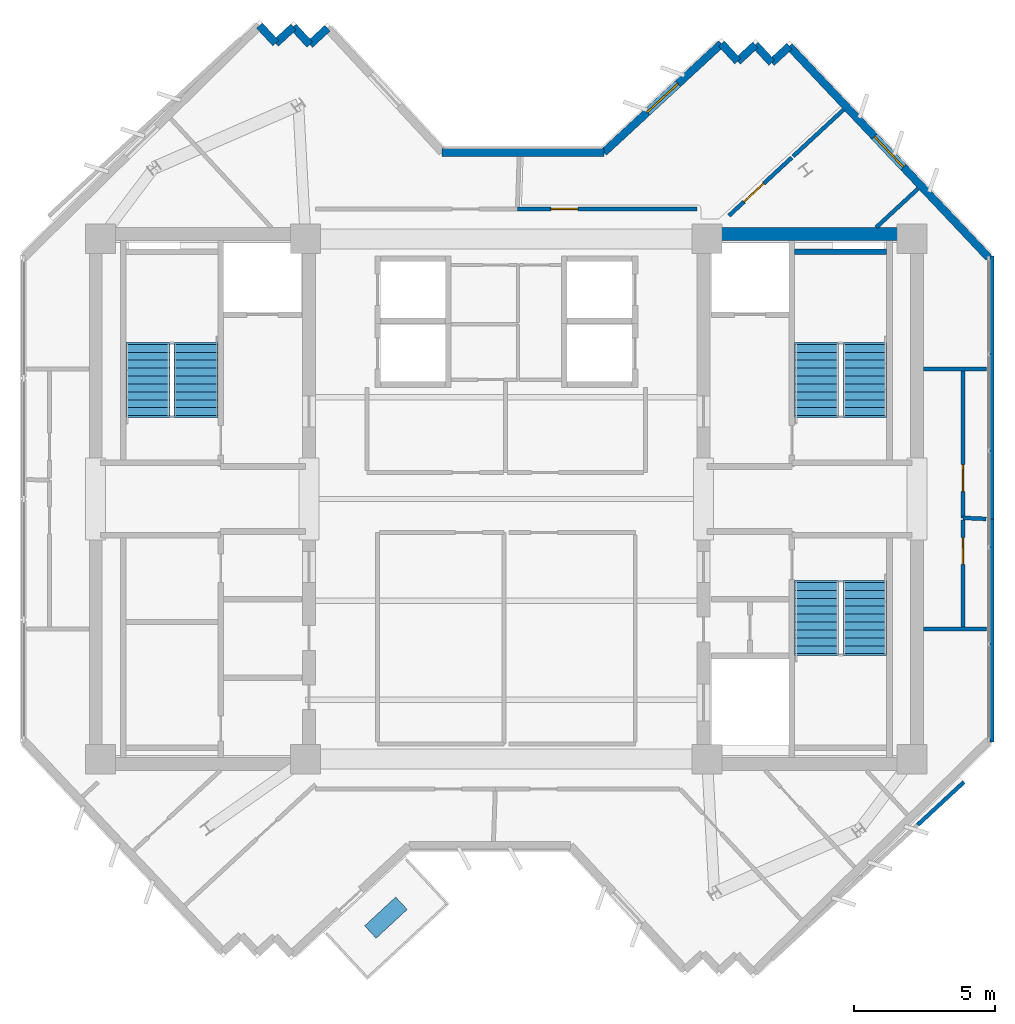
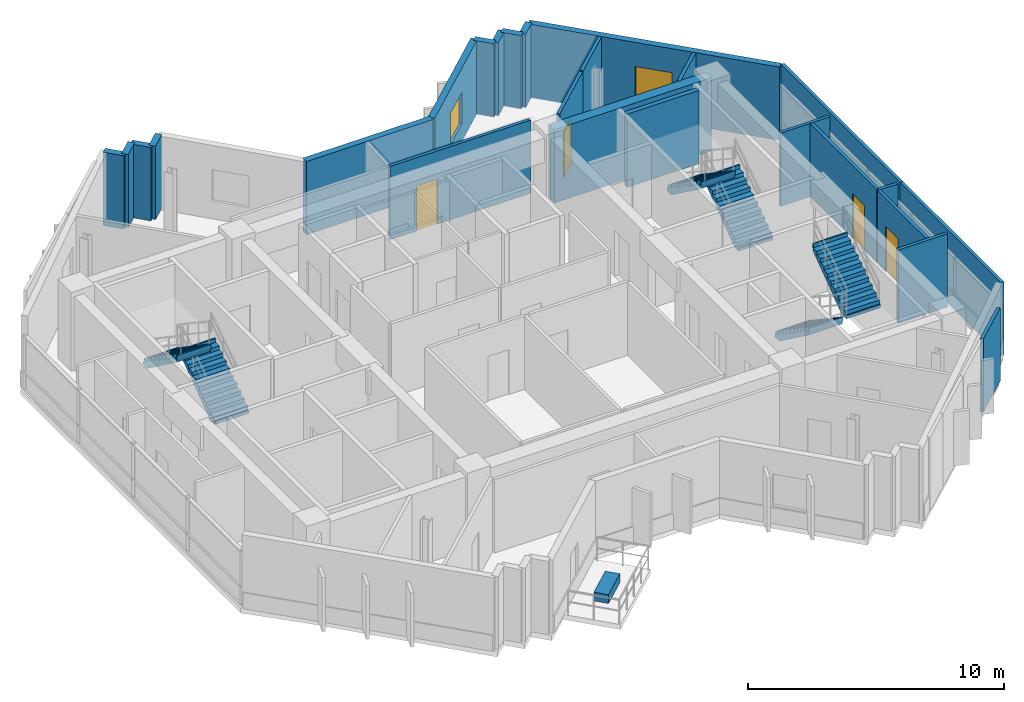
# One storey, part 7 of 9: 25 walls, 6 stair flights, 4 doors, 2 windows, 1 discrete accessory, 6 openings, 3 elements without a shape of their own.
"""IFC4 building model written with IfcOpenShell, lengths in metres."""

from ifc_helpers import new_model, si_unit, direction, frame, frame_2d, origin, origin_2d, place, context, subcontext, project, spatial, polyline, rectangle, outline, extrude, source, transform, mapped, material, layer, layer_set, type_object, element, fill, aggregate, save


model = new_model("IFC4")

# Units and contexts
model_context = context("Model", 3, precision=1e-05, world=origin(), true_north=direction((0.0, 1.0)))
body_context = subcontext(model_context, "Body", "Model", "MODEL_VIEW")
ifc_project = project(units=[si_unit("LENGTHUNIT", "METRE"), si_unit("AREAUNIT", "SQUARE_METRE"), si_unit("VOLUMEUNIT", "CUBIC_METRE"), si_unit("PLANEANGLEUNIT", "RADIAN"), si_unit("MASSUNIT", "GRAM", prefix="KILO")], contexts=[model_context])

# Site, building, storey
site_placement = place(None, origin())
site = spatial("IfcSite", under=ifc_project, at=site_placement, CompositionType="ELEMENT")
building_placement = place(site_placement, origin())
building = spatial("IfcBuilding", under=site, at=building_placement, Name="Zahravan Cultural Tower", CompositionType="ELEMENT")
storey_placement = place(building_placement, frame((0.0, 0.0, 299.10009765625)))
storey = spatial("IfcBuildingStorey", under=building, at=storey_placement, Name="L72", CompositionType="ELEMENT", Elevation=299.10009765625)

# Wall, opening, window
ifc_material_1 = material(Name="Precast concrete C40/50", Category="concrete")
ifc_layer_1 = layer(ifc_material_1, 0.280029296875)
ifc_layer_set_1 = layer_set([ifc_layer_1], Name="Precast concrete C40/50")
wall_type_1 = type_object("IfcWallType", Name="EW-TC-280", PredefinedType="SOLIDWALL", material=ifc_layer_set_1)
wall_1_placement = place(storey_placement, frame((39.44677734375, 39.260009765625, 0.0), z_axis=(0.0, 0.0, 1.0), x_axis=(0.734109106874, 0.679031530346, 0.0)))
wall_1 = element("IfcWall", 1, at=wall_1_placement, inside=storey, type_object=wall_type_1, Name="L72 Exterior Masonry Frame Wall 01", PredefinedType="SOLIDWALL", context=body_context, shape_type="SweptSolid", body=[
    extrude(rectangle(XDim=5.6650390625, YDim=0.280029296875, at=frame_2d((2.83251953125, 0.0))), origin(), (0.0, 0.0, 1.0), 3.5),
])
opening_1_placement = place(wall_1_placement, frame((2.08203125, 0.0, 0.85009765625)))
opening_1 = element("IfcOpeningElement", 2, at=opening_1_placement, cuts=wall_1, Name="Opening WN-03", PredefinedType="OPENING", context=body_context, shape_type="SweptSolid", body=[
    extrude(rectangle(XDim=1.5, YDim=1.5, at=frame_2d((0.75, 0.75))), frame((0.0, 0.14990234375, 0.0), z_axis=(0.0, -1.0, 0.0), x_axis=(1.0, 0.0, 0.0)), (0.0, 0.0, 1.0), 0.300048828125),
])
ifc_material_2 = material(Name="Low-E solar-control double glazing", Category="glass")
window_type = type_object("IfcWindowType", Name="WN-REC-1500X1500", PartitioningType="SINGLE_PANEL", PredefinedType="WINDOW", material=ifc_material_2)
shared_shape_1 = source(origin(), body_context, "Body", "SweptSolid", [
    extrude(rectangle(XDim=1.5, YDim=1.5, at=frame_2d((0.75, 0.75))), frame((0.0, 0.030029296875, 0.0), z_axis=(0.0, -1.0, 0.0), x_axis=(1.0, 0.0, 0.0)), (0.0, 0.0, 1.0), 0.06005859375),
])
window_1_placement = place(opening_1_placement, origin())
window_1 = element("IfcWindow", 3, at=window_1_placement, inside=storey, type_object=window_type, Name="L72 Recessed Solar Window 01", OverallHeight=1.5, OverallWidth=1.5, PartitioningType="SINGLE_PANEL", PredefinedType="WINDOW", context=body_context, shape_type="MappedRepresentation", body=[
    mapped(shared_shape_1, transform((0.0, 0.0, 0.0), x_axis=(1.0, 0.0, 0.0), y_axis=(0.0, 1.0, 0.0), z_axis=(0.0, 0.0, 1.0), scale=1.0)),
])
fill(opening_1, window_1)

wall_2_placement = place(storey_placement, frame((46.0078125, 43.012939453125, 0.0), z_axis=(0.0, 0.0, 1.0), x_axis=(0.68643580465, -0.727190405667, 0.0)))
wall_2 = element("IfcWall", 4, at=wall_2_placement, inside=storey, type_object=wall_type_1, Name="L72 Exterior Masonry Frame Wall 06", PredefinedType="SOLIDWALL", context=body_context, shape_type="SweptSolid", body=[
    extrude(rectangle(XDim=10.273681640625, YDim=0.280029296875, at=frame_2d((5.13671875, 0.0))), origin(), (0.0, 0.0, 1.0), 3.5),
])
opening_2_placement = place(wall_2_placement, frame((4.386962890625, 0.0, 0.85009765625)))
opening_2 = element("IfcOpeningElement", 5, at=opening_2_placement, cuts=wall_2, Name="Opening WN-03", PredefinedType="OPENING", context=body_context, shape_type="SweptSolid", body=[
    extrude(rectangle(XDim=1.5, YDim=1.5, at=frame_2d((0.75, 0.75))), frame((0.0, 0.14990234375, 0.0), z_axis=(0.0, -1.0, 0.0), x_axis=(1.0, 0.0, 0.0)), (0.0, 0.0, 1.0), 0.300048828125),
])
window_2_placement = place(opening_2_placement, origin())
window_2 = element("IfcWindow", 6, at=window_2_placement, inside=storey, type_object=window_type, Name="L72 Recessed Solar Window 02", OverallHeight=1.5, OverallWidth=1.5, PartitioningType="SINGLE_PANEL", PredefinedType="WINDOW", context=body_context, shape_type="MappedRepresentation", body=[
    mapped(shared_shape_1, transform((0.0, 0.0, 0.0), x_axis=(1.0, 0.0, 0.0), y_axis=(0.0, 1.0, 0.0), z_axis=(0.0, 0.0, 1.0), scale=1.0)),
])
fill(opening_2, window_2)

# Wall, opening, door
ifc_material_3 = material(Name="Gypsum plasterboard partition")
ifc_layer_2 = layer(ifc_material_3, 0.139892578125)
ifc_layer_set_2 = layer_set([ifc_layer_2], Name="Gypsum plasterboard partition")
wall_type_2 = type_object("IfcWallType", Name="W-PART-140", PredefinedType="PARTITIONING", material=ifc_layer_set_2)
wall_3_placement = place(storey_placement, frame((43.873046875, 37.02001953125, 0.0), z_axis=(0.0, 0.0, 1.0), x_axis=(0.734120521476, 0.679019189676, 0.0)))
wall_3 = element("IfcWall", 7, at=wall_3_placement, inside=storey, type_object=wall_type_2, Name="L72 Interior Wall 063", PredefinedType="PARTITIONING", context=body_context, shape_type="SweptSolid", body=[
    extrude(rectangle(XDim=3.030517578125, YDim=0.139892578125, at=frame_2d((1.51513671875, 0.0))), origin(), (0.0, 0.0, 1.0), 3.5),
])
opening_3_placement = place(wall_3_placement, frame((0.728271484375, 0.0, 0.0)))
opening_3 = element("IfcOpeningElement", 8, at=opening_3_placement, cuts=wall_3, Name="Opening D-L72-29", PredefinedType="OPENING", context=body_context, shape_type="SweptSolid", body=[
    extrude(rectangle(XDim=0.949951171875, YDim=2.14990234375, at=frame_2d((0.47509765625, 1.074951171875))), frame((0.0, 0.079833984375, 0.0), z_axis=(0.0, -1.0, 0.0), x_axis=(1.0, 0.0, 0.0)), (0.0, 0.0, 1.0), 0.159912109375),
])
ifc_material_4 = material(Name="Anodised bronze-aluminium mullion", Category="aluminium")
door_type = type_object("IfcDoorType", Name="DR-ROOM-950", OperationType="NOTDEFINED", PredefinedType="DOOR", material=ifc_material_4)
shared_shape_2 = source(origin(), body_context, "Body", "SweptSolid", [
    extrude(rectangle(XDim=0.949951171875, YDim=2.14990234375, at=frame_2d((0.47509765625, 1.074951171875))), frame((0.0, 0.02490234375, 0.0), z_axis=(0.0, -1.0, 0.0), x_axis=(1.0, 0.0, 0.0)), (0.0, 0.0, 1.0), 0.050048828125),
])
door_1_placement = place(opening_3_placement, origin())
door_1 = element("IfcDoor", 9, at=door_1_placement, inside=storey, type_object=door_type, Name="L72 Door D-L72-29", OperationType="SINGLE_SWING_RIGHT", OverallHeight=2.14990234375, OverallWidth=0.949951171875, PredefinedType="DOOR", context=body_context, shape_type="MappedRepresentation", body=[
    mapped(shared_shape_2, transform((0.0, 0.0, 0.0), x_axis=(1.0, 0.0, 0.0), y_axis=(0.0, 1.0, 0.0), z_axis=(0.0, 0.0, 1.0), scale=1.0)),
])
fill(opening_3, door_1)

wall_4_placement = place(storey_placement, frame((52.14990234375, 26.33251953125, 0.0), z_axis=(0.0, 0.0, 1.0), x_axis=(-0.000188111359, 0.999999982307, 0.0)))
wall_4 = element("IfcWall", 10, at=wall_4_placement, inside=storey, type_object=wall_type_2, Name="L72 Interior Wall 072", PredefinedType="PARTITIONING", context=body_context, shape_type="SweptSolid", body=[
    extrude(rectangle(XDim=5.19140625, YDim=0.139892578125, at=frame_2d((2.595703125, 0.0))), origin(), (0.0, 0.0, 1.0), 3.5),
])
opening_4_placement = place(wall_4_placement, frame((0.93310546875, 0.0, 0.0)))
opening_4 = element("IfcOpeningElement", 11, at=opening_4_placement, cuts=wall_4, Name="Opening D-L72-20", PredefinedType="OPENING", context=body_context, shape_type="SweptSolid", body=[
    extrude(rectangle(XDim=0.949951171875, YDim=2.14990234375, at=frame_2d((0.47509765625, 1.074951171875))), frame((0.0, 0.079833984375, 0.0), z_axis=(0.0, -1.0, 0.0), x_axis=(1.0, 0.0, 0.0)), (0.0, 0.0, 1.0), 0.159912109375),
])
door_2_placement = place(opening_4_placement, origin())
door_2 = element("IfcDoor", 12, at=door_2_placement, inside=storey, type_object=door_type, Name="L72 Door D-L72-20", OperationType="SINGLE_SWING_LEFT", OverallHeight=2.14990234375, OverallWidth=0.949951171875, PredefinedType="DOOR", context=body_context, shape_type="MappedRepresentation", body=[
    mapped(shared_shape_2, transform((0.0, 0.0, 0.0), x_axis=(1.0, 0.0, 0.0), y_axis=(0.0, 1.0, 0.0), z_axis=(0.0, 0.0, 1.0), scale=1.0)),
])
fill(opening_4, door_2)

wall_5_placement = place(storey_placement, frame((52.148681640625, 22.477294921875, 0.0), z_axis=(0.0, 0.0, 1.0), x_axis=(0.000322913959, 0.999999947863, 0.0)))
wall_5 = element("IfcWall", 13, at=wall_5_placement, inside=storey, type_object=wall_type_2, Name="L72 Interior Wall 074", PredefinedType="PARTITIONING", context=body_context, shape_type="SweptSolid", body=[
    extrude(rectangle(XDim=3.7802734375, YDim=0.139892578125, at=frame_2d((1.89013671875, 0.0))), origin(), (0.0, 0.0, 1.0), 3.5),
])
opening_5_placement = place(wall_5_placement, frame((2.20751953125, 0.0, 0.0)))
opening_5 = element("IfcOpeningElement", 14, at=opening_5_placement, cuts=wall_5, Name="Opening D-L72-27", PredefinedType="OPENING", context=body_context, shape_type="SweptSolid", body=[
    extrude(rectangle(XDim=0.949951171875, YDim=2.14990234375, at=frame_2d((0.47509765625, 1.074951171875))), frame((0.0, 0.079833984375, 0.0), z_axis=(0.0, -1.0, 0.0), x_axis=(1.0, 0.0, 0.0)), (0.0, 0.0, 1.0), 0.159912109375),
])
door_3_placement = place(opening_5_placement, origin())
door_3 = element("IfcDoor", 15, at=door_3_placement, inside=storey, type_object=door_type, Name="L72 Door D-L72-27", OperationType="SINGLE_SWING_RIGHT", OverallHeight=2.14990234375, OverallWidth=0.949951171875, PredefinedType="DOOR", context=body_context, shape_type="MappedRepresentation", body=[
    mapped(shared_shape_2, transform((0.0, 0.0, 0.0), x_axis=(1.0, 0.0, 0.0), y_axis=(0.0, 1.0, 0.0), z_axis=(0.0, 0.0, 1.0), scale=1.0)),
])
fill(opening_5, door_3)

wall_6_placement = place(storey_placement, frame((42.742431640625, 37.259765625, 0.0), z_axis=(0.0, 0.0, 1.0), x_axis=(-0.999999999261, 3.8433452e-05, 0.0)))
wall_6 = element("IfcWall", 16, at=wall_6_placement, inside=storey, type_object=wall_type_2, Name="L72 Interior Wall 092", PredefinedType="PARTITIONING", context=body_context, shape_type="SweptSolid", body=[
    extrude(rectangle(XDim=6.352294921875, YDim=0.139892578125, at=frame_2d((3.17626953125, 0.0))), origin(), (0.0, 0.0, 1.0), 3.5),
])
opening_6_placement = place(wall_6_placement, frame((4.213623046875, 0.0, 0.0)))
opening_6 = element("IfcOpeningElement", 17, at=opening_6_placement, cuts=wall_6, Name="Opening D-L72-21", PredefinedType="OPENING", context=body_context, shape_type="SweptSolid", body=[
    extrude(rectangle(XDim=0.949951171875, YDim=2.14990234375, at=frame_2d((0.47509765625, 1.074951171875))), frame((0.0, 0.079833984375, 0.0), z_axis=(0.0, -1.0, 0.0), x_axis=(1.0, 0.0, 0.0)), (0.0, 0.0, 1.0), 0.159912109375),
])
door_4_placement = place(opening_6_placement, origin())
door_4 = element("IfcDoor", 18, at=door_4_placement, inside=storey, type_object=door_type, Name="L72 Door D-L72-21", OperationType="SINGLE_SWING_RIGHT", OverallHeight=2.14990234375, OverallWidth=0.949951171875, PredefinedType="DOOR", context=body_context, shape_type="MappedRepresentation", body=[
    mapped(shared_shape_2, transform((0.0, 0.0, 0.0), x_axis=(1.0, 0.0, 0.0), y_axis=(0.0, 1.0, 0.0), z_axis=(0.0, 0.0, 1.0), scale=1.0)),
])
fill(opening_6, door_4)

# Walls
ifc_material_5 = material(Name="Concrete C50/60", Category="concrete")
ifc_layer_3 = layer(ifc_material_5, 0.449951171875)
ifc_layer_set_3 = layer_set([ifc_layer_3], Name="Concrete C50/60")
wall_type_3 = type_object("IfcWallType", Name="CW-SHEAR-450-C50", PredefinedType="SHEAR", material=ifc_layer_set_3)
shared_shape_3 = source(origin(), body_context, "Body", "SweptSolid", [
    extrude(rectangle(XDim=7.10009765625, YDim=0.449951171875, at=frame_2d((3.550048828125, 0.0))), origin(), (0.0, 0.0, 1.0), 3.5),
])
wall_7_placement = place(storey_placement, frame((43.199951171875, 36.375, 0.0), z_axis=(0.0, 0.0, 1.0), x_axis=(1.0, 0.0, 0.0)))
element("IfcWall", 19, at=wall_7_placement, inside=storey, type_object=wall_type_3, Name="L72 Core Shear Wall CW-E-N-L72", PredefinedType="SHEAR", context=body_context, shape_type="MappedRepresentation", body=[
    mapped(shared_shape_3, transform((0.0, 0.0, 0.0), x_axis=(1.0, 0.0, 0.0), y_axis=(0.0, 1.0, 0.0), z_axis=(0.0, 0.0, 1.0), scale=1.0)),
])
shared_shape_4 = source(origin(), body_context, "Body", "SweptSolid", [
    extrude(rectangle(XDim=0.85009765625, YDim=0.280029296875, at=frame_2d((0.425048828125, 0.0))), origin(), (0.0, 0.0, 1.0), 3.5),
])
for number, where, z_axis, x_axis, name in (
    (20, (43.60546875, 43.106689453125, 0.0), (0.0, 0.0, 1.0), (0.67899554472, -0.734142390991, 0.0), "L72 Exterior Masonry Frame Wall 02"),
    (21, (44.1826171875, 42.482666015625, 0.0), (0.0, 0.0, 1.0), (0.734142390991, 0.67899554472, 0.0), "L72 Exterior Masonry Frame Wall 03"),
    (22, (44.806640625, 43.059814453125, 0.0), (0.0, 0.0, 1.0), (0.67899554472, -0.734142390991, 0.0), "L72 Exterior Masonry Frame Wall 04"),
    (23, (45.3837890625, 42.435791015625, 0.0), (0.0, 0.0, 1.0), (0.734142390991, 0.67899554472, 0.0), "L72 Exterior Masonry Frame Wall 05"),
    (24, (27.26953125, 43.74365234375, 0.0), (0.0, 0.0, 1.0), (0.67899554472, -0.734142390991, 0.0), "L72 Exterior Masonry Frame Wall 21"),
    (25, (27.8466796875, 43.11962890625, 0.0), (0.0, 0.0, 1.0), (0.733999227766, 0.679150302686, 0.0), "L72 Exterior Masonry Frame Wall 22"),
    (26, (28.470703125, 43.697021484375, 0.0), (0.0, 0.0, 1.0), (0.679150302686, -0.733999227766, 0.0), "L72 Exterior Masonry Frame Wall 23"),
):
    element("IfcWall", number, at=place(storey_placement, frame(where, z_axis=z_axis, x_axis=x_axis)), inside=storey, type_object=wall_type_1, Name=name, PredefinedType="SOLIDWALL", context=body_context, shape_type="MappedRepresentation", body=[
        mapped(shared_shape_4, transform((0.0, 0.0, 0.0), x_axis=(1.0, 0.0, 0.0), y_axis=(0.0, 1.0, 0.0), z_axis=(0.0, 0.0, 1.0), scale=1.0)),
    ])
shared_shape_5 = source(origin(), body_context, "Body", "SweptSolid", [
    extrude(rectangle(XDim=0.849853515625, YDim=0.280029296875, at=frame_2d((0.4248046875, 0.0))), origin(), (0.0, 0.0, 1.0), 3.5),
])
wall_8_placement = place(storey_placement, frame((29.048095703125, 43.072998046875, 0.0), z_axis=(0.0, 0.0, 1.0), x_axis=(0.73428557742, 0.678840696183, 0.0)))
element("IfcWall", 27, at=wall_8_placement, inside=storey, type_object=wall_type_1, Name="L72 Exterior Masonry Frame Wall 24", PredefinedType="SOLIDWALL", context=body_context, shape_type="MappedRepresentation", body=[
    mapped(shared_shape_5, transform((0.0, 0.0, 0.0), x_axis=(1.0, 0.0, 0.0), y_axis=(0.0, 1.0, 0.0), z_axis=(0.0, 0.0, 1.0), scale=1.0)),
])
shared_shape_6 = source(origin(), body_context, "Body", "SweptSolid", [
    extrude(rectangle(XDim=5.71435546875, YDim=0.280029296875, at=frame_2d((2.857177734375, 0.0))), origin(), (0.0, 0.0, 1.0), 3.5),
])
wall_9_placement = place(storey_placement, frame((33.732421875, 39.260009765625, 0.0), z_axis=(0.0, 0.0, 1.0), x_axis=(1.0, 0.0, 0.0)))
element("IfcWall", 28, at=wall_9_placement, inside=storey, type_object=wall_type_1, Name="L72 Exterior Masonry Frame Wall 26", PredefinedType="SOLIDWALL", context=body_context, shape_type="MappedRepresentation", body=[
    mapped(shared_shape_6, transform((0.0, 0.0, 0.0), x_axis=(1.0, 0.0, 0.0), y_axis=(0.0, 1.0, 0.0), z_axis=(0.0, 0.0, 1.0), scale=1.0)),
])
ifc_material_6 = material(Name="Concrete C45/55", Category="concrete")
ifc_layer_4 = layer(ifc_material_6, 0.199951171875)
ifc_layer_set_4 = layer_set([ifc_layer_4], Name="Concrete C45/55")
wall_type_4 = type_object("IfcWallType", Name="W-SHAFT-200", PredefinedType="SOLIDWALL", material=ifc_layer_set_4)
shared_shape_7 = source(origin(), body_context, "Body", "SweptSolid", [
    extrude(rectangle(XDim=3.25, YDim=0.199951171875, at=frame_2d((1.625, 0.0))), origin(), (0.0, 0.0, 1.0), 3.5),
])
wall_10_placement = place(storey_placement, frame((46.199951171875, 35.75, 0.0), z_axis=(0.0, 0.0, 1.0), x_axis=(1.0, 0.0, 0.0)))
element("IfcWall", 29, at=wall_10_placement, inside=storey, type_object=wall_type_4, Name="L72 Interior Wall 018", PredefinedType="SOLIDWALL", context=body_context, shape_type="MappedRepresentation", body=[
    mapped(shared_shape_7, transform((0.0, 0.0, 0.0), x_axis=(1.0, 0.0, 0.0), y_axis=(0.0, 1.0, 0.0), z_axis=(0.0, 0.0, 1.0), scale=1.0)),
])
shared_shape_8 = source(origin(), body_context, "Body", "SweptSolid", [
    extrude(rectangle(XDim=2.427734375, YDim=0.139892578125, at=frame_2d((1.2138671875, 0.0))), origin(), (0.0, 0.0, 1.0), 3.5),
])
wall_11_placement = place(storey_placement, frame((46.144287109375, 39.12060546875, 0.0), z_axis=(0.0, 0.0, 1.0), x_axis=(0.734124504125, 0.679014883815, 0.0)))
element("IfcWall", 30, at=wall_11_placement, inside=storey, type_object=wall_type_2, Name="L72 Interior Wall 064", PredefinedType="PARTITIONING", context=body_context, shape_type="MappedRepresentation", body=[
    mapped(shared_shape_8, transform((0.0, 0.0, 0.0), x_axis=(1.0, 0.0, 0.0), y_axis=(0.0, 1.0, 0.0), z_axis=(0.0, 0.0, 1.0), scale=1.0)),
])
shared_shape_9 = source(origin(), body_context, "Body", "SweptSolid", [
    extrude(rectangle(XDim=2.02001953125, YDim=0.139892578125, at=frame_2d((1.010009765625, 0.0))), origin(), (0.0, 0.0, 1.0), 3.5),
])
wall_12_placement = place(storey_placement, frame((50.5625, 37.9765625, 0.0), z_axis=(0.0, 0.0, 1.0), x_axis=(-0.734126550915, -0.679012670899, 0.0)))
element("IfcWall", 31, at=wall_12_placement, inside=storey, type_object=wall_type_2, Name="L72 Interior Wall 065", PredefinedType="PARTITIONING", context=body_context, shape_type="MappedRepresentation", body=[
    mapped(shared_shape_9, transform((0.0, 0.0, 0.0), x_axis=(1.0, 0.0, 0.0), y_axis=(0.0, 1.0, 0.0), z_axis=(0.0, 0.0, 1.0), scale=1.0)),
])
shared_shape_10 = source(origin(), body_context, "Body", "SweptSolid", [
    extrude(rectangle(XDim=2.22265625, YDim=0.139892578125, at=frame_2d((1.111328125, 0.0))), origin(), (0.0, 0.0, 1.0), 3.5),
])
for number, where, z_axis, x_axis, name in (
    (32, (52.9775390625, 31.598388671875, 0.0), (0.0, 0.0, 1.0), (-0.999999704402, 0.000768892567, 0.0), "L72 Interior Wall 069"),
    (33, (50.7548828125, 22.400146484375, 0.0), (0.0, 0.0, 1.0), (0.99999881761, 0.00153778377, 0.0), "L72 Interior Wall 073"),
):
    element("IfcWall", number, at=place(storey_placement, frame(where, z_axis=z_axis, x_axis=x_axis)), inside=storey, type_object=wall_type_2, Name=name, PredefinedType="PARTITIONING", context=body_context, shape_type="MappedRepresentation", body=[
        mapped(shared_shape_10, transform((0.0, 0.0, 0.0), x_axis=(1.0, 0.0, 0.0), y_axis=(0.0, 1.0, 0.0), z_axis=(0.0, 0.0, 1.0), scale=1.0)),
    ])
shared_shape_11 = source(origin(), body_context, "Body", "SweptSolid", [
    extrude(rectangle(XDim=9.30419921875, YDim=0.139892578125, at=frame_2d((4.652099609375, 0.0))), origin(), (0.0, 0.0, 1.0), 3.5),
])
wall_13_placement = place(storey_placement, frame((53.179931640625, 35.591796875, 0.0), z_axis=(0.0, 0.0, 1.0), x_axis=(0.0, -1.0, 0.0)))
element("IfcWall", 34, at=wall_13_placement, inside=storey, type_object=wall_type_2, Name="L72 Interior Wall 070", PredefinedType="PARTITIONING", context=body_context, shape_type="MappedRepresentation", body=[
    mapped(shared_shape_11, transform((0.0, 0.0, 0.0), x_axis=(1.0, 0.0, 0.0), y_axis=(0.0, 1.0, 0.0), z_axis=(0.0, 0.0, 1.0), scale=1.0)),
])
shared_shape_12 = source(origin(), body_context, "Body", "SweptSolid", [
    extrude(rectangle(XDim=0.8232421875, YDim=0.139892578125, at=frame_2d((0.41162109375, 0.0))), origin(), (0.0, 0.0, 1.0), 3.5),
])
wall_14_placement = place(storey_placement, frame((52.972412109375, 26.296630859375, 0.0), z_axis=(0.0, 0.0, 1.0), x_axis=(-0.999049432265, 0.043591649315, 0.0)))
element("IfcWall", 35, at=wall_14_placement, inside=storey, type_object=wall_type_2, Name="L72 Interior Wall 071", PredefinedType="PARTITIONING", context=body_context, shape_type="MappedRepresentation", body=[
    mapped(shared_shape_12, transform((0.0, 0.0, 0.0), x_axis=(1.0, 0.0, 0.0), y_axis=(0.0, 1.0, 0.0), z_axis=(0.0, 0.0, 1.0), scale=1.0)),
])
shared_shape_13 = source(origin(), body_context, "Body", "SweptSolid", [
    extrude(rectangle(XDim=7.87939453125, YDim=0.139892578125, at=frame_2d((3.939697265625, 0.0))), origin(), (0.0, 0.0, 1.0), 3.5),
])
wall_15_placement = place(storey_placement, frame((53.179931640625, 26.28759765625, 0.0), z_axis=(0.0, 0.0, 1.0), x_axis=(0.0, -1.0, 0.0)))
element("IfcWall", 36, at=wall_15_placement, inside=storey, type_object=wall_type_2, Name="L72 Interior Wall 075", PredefinedType="PARTITIONING", context=body_context, shape_type="MappedRepresentation", body=[
    mapped(shared_shape_13, transform((0.0, 0.0, 0.0), x_axis=(1.0, 0.0, 0.0), y_axis=(0.0, 1.0, 0.0), z_axis=(0.0, 0.0, 1.0), scale=1.0)),
])
shared_shape_14 = source(origin(), body_context, "Body", "SweptSolid", [
    extrude(rectangle(XDim=2.2294921875, YDim=0.139892578125, at=frame_2d((1.11474609375, 0.0))), origin(), (0.0, 0.0, 1.0), 3.5),
])
wall_16_placement = place(storey_placement, frame((52.18212890625, 16.985107421875, 0.0), z_axis=(0.0, 0.0, 1.0), x_axis=(-0.734110356631, -0.679030179217, 0.0)))
element("IfcWall", 37, at=wall_16_placement, inside=storey, type_object=wall_type_2, Name="L72 Interior Wall 076", PredefinedType="PARTITIONING", context=body_context, shape_type="MappedRepresentation", body=[
    mapped(shared_shape_14, transform((0.0, 0.0, 0.0), x_axis=(1.0, 0.0, 0.0), y_axis=(0.0, 1.0, 0.0), z_axis=(0.0, 0.0, 1.0), scale=1.0)),
])

# Stair, stair flights
stair_type = type_object("IfcStairType", Name="STR-DL-1550-375", PredefinedType="HALF_TURN_STAIR", material=ifc_material_6)
stair_1_placement = place(storey_placement, origin())
stair_1 = element("IfcStair", 38, at=stair_1_placement, inside=storey, type_object=stair_type, Name="L72 West Core North Exit Stair ST-W1", PredefinedType="HALF_TURN_STAIR")
stair_flight_type = type_object("IfcStairFlightType", Name="FLG-DL-1550-375", PredefinedType="STRAIGHT", material=ifc_material_6)
stair_flight_1_placement = place(storey_placement, frame((25.02490234375, 29.949951171875, 0.0), z_axis=(0.0, 0.0, 1.0), x_axis=(0.0, 1.0, 0.0)))
stair_flight_1 = element("IfcStairFlight", 39, at=stair_flight_1_placement, type_object=stair_flight_type, Name="ST-W1 flight 1", NumberOfRisers=10, NumberOfTreads=9, PredefinedType="STRAIGHT", RiserHeight=0.1875, TreadLength=0.28, context=body_context, shape_type="SweptSolid", body=[
    extrude(outline(polyline([(-0.06494140625, -0.139892578125), (-0.06494140625, 0.0), (0.0, 0.0), (0.0, 0.1875), (0.280029296875, 0.1875), (0.280029296875, 0.375), (0.56005859375, 0.375), (0.56005859375, 0.5625), (0.840087890625, 0.5625), (0.840087890625, 0.75), (1.1201171875, 0.75), (1.1201171875, 0.9375), (1.39990234375, 0.9375), (1.39990234375, 1.125), (1.679931640625, 1.125), (1.679931640625, 1.3125), (1.9599609375, 1.3125), (1.9599609375, 1.5), (2.239990234375, 1.5), (2.239990234375, 1.6875), (2.52001953125, 1.6875), (2.52001953125, 1.875), (2.5849609375, 1.875), (2.5849609375, 1.72509765625), (2.52001953125, 1.507080078125), (0.26953125, -0.139892578125), (-0.06494140625, -0.139892578125)])), frame((0.0, 0.77490234375, 0.0), z_axis=(0.0, -1.0, 0.0), x_axis=(1.0, 0.0, 0.0)), (0.0, 0.0, 1.0), 1.550048828125),
])
stair_flight_2_placement = place(storey_placement, frame((23.324951171875, 32.469970703125, 1.875), z_axis=(0.0, 0.0, 1.0), x_axis=(0.0, -1.0, 0.0)))
stair_flight_2 = element("IfcStairFlight", 40, at=stair_flight_2_placement, type_object=stair_flight_type, Name="ST-W1 flight 2", NumberOfRisers=10, NumberOfTreads=9, PredefinedType="STRAIGHT", RiserHeight=0.1875, TreadLength=0.28, context=body_context, shape_type="SweptSolid", body=[
    extrude(outline(polyline([(-0.06494140625, -0.139892578125), (-0.06494140625, 0.0), (0.0, 0.0), (0.0, 0.1875), (0.280029296875, 0.1875), (0.280029296875, 0.375), (0.56005859375, 0.375), (0.56005859375, 0.5625), (0.840087890625, 0.5625), (0.840087890625, 0.75), (1.1201171875, 0.75), (1.1201171875, 0.9375), (1.39990234375, 0.9375), (1.39990234375, 1.125), (1.679931640625, 1.125), (1.679931640625, 1.3125), (1.9599609375, 1.3125), (1.9599609375, 1.5), (2.239990234375, 1.5), (2.239990234375, 1.6875), (2.52001953125, 1.6875), (2.52001953125, 1.875), (2.5849609375, 1.875), (2.5849609375, 1.72509765625), (2.52001953125, 1.507080078125), (0.26953125, -0.139892578125), (-0.06494140625, -0.139892578125)])), frame((0.0, 0.77490234375, 0.0), z_axis=(0.0, -1.0, 0.0), x_axis=(1.0, 0.0, 0.0)), (0.0, 0.0, 1.0), 1.550048828125),
])
aggregate(stair_1, [stair_flight_1, stair_flight_2])

stair_2_placement = place(storey_placement, origin())
stair_2 = element("IfcStair", 41, at=stair_2_placement, inside=storey, type_object=stair_type, Name="L72 East Core North Exit Stair ST-E1", PredefinedType="HALF_TURN_STAIR")
stair_flight_3_placement = place(storey_placement, frame((48.675048828125, 29.949951171875, 0.0), z_axis=(0.0, 0.0, 1.0), x_axis=(0.0, 1.0, 0.0)))
stair_flight_3 = element("IfcStairFlight", 42, at=stair_flight_3_placement, type_object=stair_flight_type, Name="ST-E1 flight 1", NumberOfRisers=10, NumberOfTreads=9, PredefinedType="STRAIGHT", RiserHeight=0.1875, TreadLength=0.28, context=body_context, shape_type="SweptSolid", body=[
    extrude(outline(polyline([(-0.06494140625, -0.139892578125), (-0.06494140625, 0.0), (0.0, 0.0), (0.0, 0.1875), (0.280029296875, 0.1875), (0.280029296875, 0.375), (0.56005859375, 0.375), (0.56005859375, 0.5625), (0.840087890625, 0.5625), (0.840087890625, 0.75), (1.1201171875, 0.75), (1.1201171875, 0.9375), (1.39990234375, 0.9375), (1.39990234375, 1.125), (1.679931640625, 1.125), (1.679931640625, 1.3125), (1.9599609375, 1.3125), (1.9599609375, 1.5), (2.239990234375, 1.5), (2.239990234375, 1.6875), (2.52001953125, 1.6875), (2.52001953125, 1.875), (2.5849609375, 1.875), (2.5849609375, 1.72509765625), (2.52001953125, 1.507080078125), (0.26953125, -0.139892578125), (-0.06494140625, -0.139892578125)])), frame((0.0, 0.77490234375, 0.0), z_axis=(0.0, -1.0, 0.0), x_axis=(1.0, 0.0, 0.0)), (0.0, 0.0, 1.0), 1.550048828125),
])
stair_flight_4_placement = place(storey_placement, frame((46.97509765625, 32.469970703125, 1.875), z_axis=(0.0, 0.0, 1.0), x_axis=(0.0, -1.0, 0.0)))
stair_flight_4 = element("IfcStairFlight", 43, at=stair_flight_4_placement, type_object=stair_flight_type, Name="ST-E1 flight 2", NumberOfRisers=10, NumberOfTreads=9, PredefinedType="STRAIGHT", RiserHeight=0.1875, TreadLength=0.28, context=body_context, shape_type="SweptSolid", body=[
    extrude(outline(polyline([(-0.06494140625, -0.139892578125), (-0.06494140625, 0.0), (0.0, 0.0), (0.0, 0.1875), (0.280029296875, 0.1875), (0.280029296875, 0.375), (0.56005859375, 0.375), (0.56005859375, 0.5625), (0.840087890625, 0.5625), (0.840087890625, 0.75), (1.1201171875, 0.75), (1.1201171875, 0.9375), (1.39990234375, 0.9375), (1.39990234375, 1.125), (1.679931640625, 1.125), (1.679931640625, 1.3125), (1.9599609375, 1.3125), (1.9599609375, 1.5), (2.239990234375, 1.5), (2.239990234375, 1.6875), (2.52001953125, 1.6875), (2.52001953125, 1.875), (2.5849609375, 1.875), (2.5849609375, 1.72509765625), (2.52001953125, 1.507080078125), (0.26953125, -0.139892578125), (-0.06494140625, -0.139892578125)])), frame((0.0, 0.77490234375, 0.0), z_axis=(0.0, -1.0, 0.0), x_axis=(1.0, 0.0, 0.0)), (0.0, 0.0, 1.0), 1.550048828125),
])
aggregate(stair_2, [stair_flight_3, stair_flight_4])

stair_3_placement = place(storey_placement, origin())
stair_3 = element("IfcStair", 44, at=stair_3_placement, inside=storey, type_object=stair_type, Name="L72 East Core South Exit Stair ST-E2", PredefinedType="HALF_TURN_STAIR")
stair_flight_5_placement = place(storey_placement, frame((46.97509765625, 24.050048828125, 0.0), z_axis=(0.0, 0.0, 1.0), x_axis=(0.0, -1.0, 0.0)))
stair_flight_5 = element("IfcStairFlight", 45, at=stair_flight_5_placement, type_object=stair_flight_type, Name="ST-E2 flight 1", NumberOfRisers=10, NumberOfTreads=9, PredefinedType="STRAIGHT", RiserHeight=0.1875, TreadLength=0.28, context=body_context, shape_type="SweptSolid", body=[
    extrude(outline(polyline([(-0.06494140625, -0.139892578125), (-0.06494140625, 0.0), (0.0, 0.0), (0.0, 0.1875), (0.280029296875, 0.1875), (0.280029296875, 0.375), (0.56005859375, 0.375), (0.56005859375, 0.5625), (0.840087890625, 0.5625), (0.840087890625, 0.75), (1.1201171875, 0.75), (1.1201171875, 0.9375), (1.39990234375, 0.9375), (1.39990234375, 1.125), (1.679931640625, 1.125), (1.679931640625, 1.3125), (1.9599609375, 1.3125), (1.9599609375, 1.5), (2.239990234375, 1.5), (2.239990234375, 1.6875), (2.52001953125, 1.6875), (2.52001953125, 1.875), (2.5849609375, 1.875), (2.5849609375, 1.72509765625), (2.52001953125, 1.507080078125), (0.26953125, -0.139892578125), (-0.06494140625, -0.139892578125)])), frame((0.0, 0.77490234375, 0.0), z_axis=(0.0, -1.0, 0.0), x_axis=(1.0, 0.0, 0.0)), (0.0, 0.0, 1.0), 1.550048828125),
])
stair_flight_6_placement = place(storey_placement, frame((48.675048828125, 21.530029296875, 1.875), z_axis=(0.0, 0.0, 1.0), x_axis=(0.0, 1.0, 0.0)))
stair_flight_6 = element("IfcStairFlight", 46, at=stair_flight_6_placement, type_object=stair_flight_type, Name="ST-E2 flight 2", NumberOfRisers=10, NumberOfTreads=9, PredefinedType="STRAIGHT", RiserHeight=0.1875, TreadLength=0.28, context=body_context, shape_type="SweptSolid", body=[
    extrude(outline(polyline([(-0.06494140625, -0.139892578125), (-0.06494140625, 0.0), (0.0, 0.0), (0.0, 0.1875), (0.280029296875, 0.1875), (0.280029296875, 0.375), (0.56005859375, 0.375), (0.56005859375, 0.5625), (0.840087890625, 0.5625), (0.840087890625, 0.75), (1.1201171875, 0.75), (1.1201171875, 0.9375), (1.39990234375, 0.9375), (1.39990234375, 1.125), (1.679931640625, 1.125), (1.679931640625, 1.3125), (1.9599609375, 1.3125), (1.9599609375, 1.5), (2.239990234375, 1.5), (2.239990234375, 1.6875), (2.52001953125, 1.6875), (2.52001953125, 1.875), (2.5849609375, 1.875), (2.5849609375, 1.72509765625), (2.52001953125, 1.507080078125), (0.26953125, -0.139892578125), (-0.06494140625, -0.139892578125)])), frame((0.0, 0.77490234375, 0.0), z_axis=(0.0, -1.0, 0.0), x_axis=(1.0, 0.0, 0.0)), (0.0, 0.0, 1.0), 1.550048828125),
])
aggregate(stair_3, [stair_flight_5, stair_flight_6])

# Discrete accessory
ifc_material_7 = material(Name="Planted soil and terracotta planter", Category="masonry")
discrete_accessory_type = type_object("IfcDiscreteAccessoryType", Name="ACC-PLANTER-TC", PredefinedType="USERDEFINED", material=ifc_material_7)
shared_shape_15 = source(origin(), body_context, "Body", "SweptSolid", [
    extrude(rectangle(XDim=1.5, YDim=0.60009765625, at=origin_2d()), origin(), (0.0, 0.0, 1.0), 0.419921875),
])
discrete_accessory_placement = place(storey_placement, frame((31.7412109375, 12.194091796875, 0.0), z_axis=(0.0, 0.0, 1.0), x_axis=(0.734124628203, 0.679014749667, 0.0)))
element("IfcDiscreteAccessory", 47, at=discrete_accessory_placement, inside=storey, type_object=discrete_accessory_type, Name="L72 Terracotta Sculpture Planter SW", ObjectType="PLANTER", PredefinedType="USERDEFINED", context=body_context, shape_type="MappedRepresentation", body=[
    mapped(shared_shape_15, transform((0.0, 0.0, 0.0), x_axis=(1.0, 0.0, 0.0), y_axis=(0.0, 1.0, 0.0), z_axis=(0.0, 0.0, 1.0), scale=1.0)),
])

save(model, "model.ifc")
